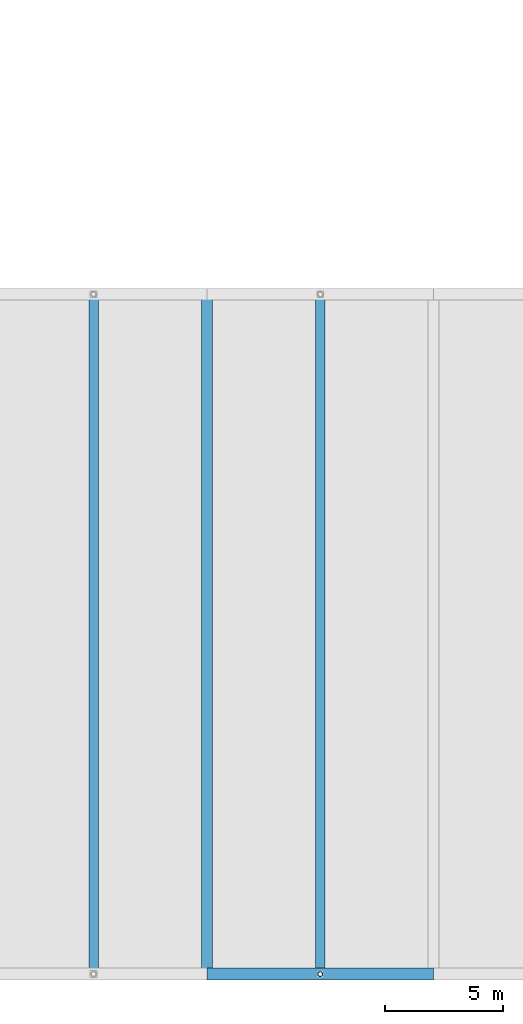
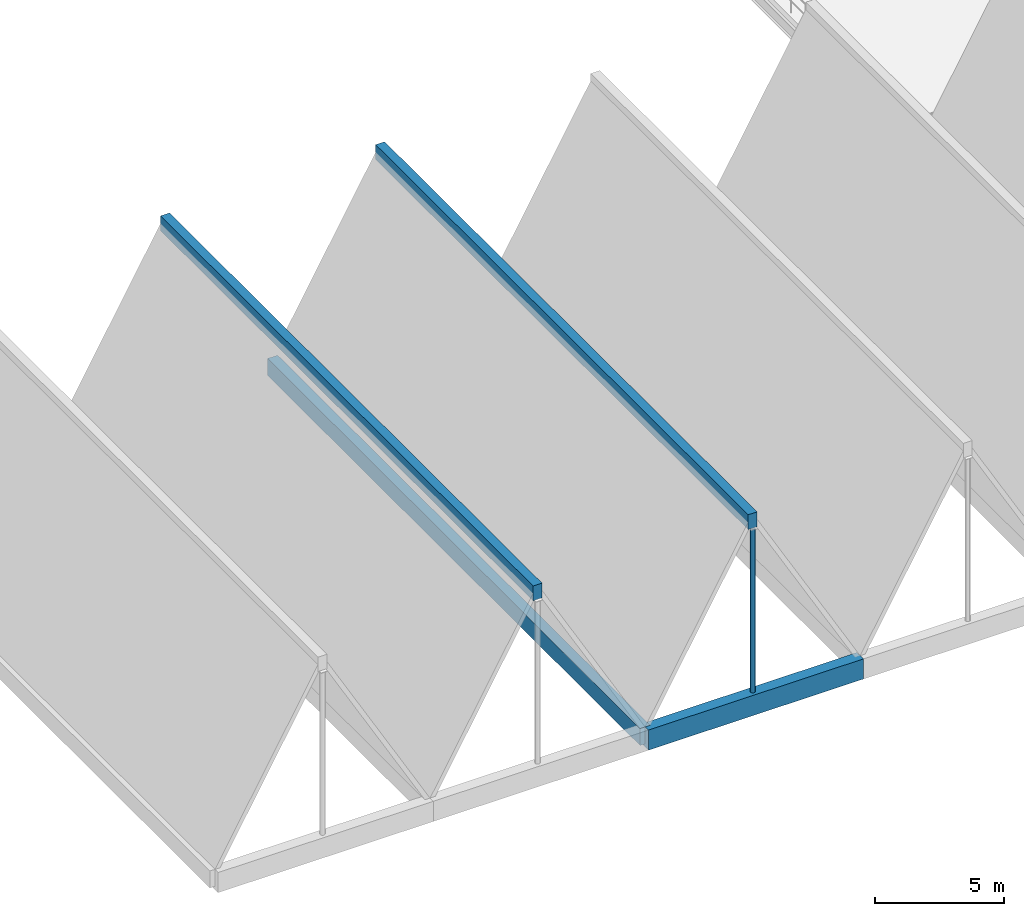
# One storey, part 6 of 86: 4 beams, 1 member, 1 element without a shape of its own.
"""IFC4 building model written with IfcOpenShell, lengths in metres."""

from ifc_helpers import new_model, si_unit, direction, frame, origin, origin_2d, place, context, subcontext, project, spatial, rectangle, hollow_circle, extrude, material, material_profile, profile_set, type_object, element, aggregate, save


model = new_model("IFC4")

# Units and contexts
model_context = context("Model", 3, precision=1e-05, world=origin(), true_north=direction((0.0, 1.0)))
body_context = subcontext(model_context, "Body", "Model", "MODEL_VIEW")
ifc_project = project(units=[si_unit("LENGTHUNIT", "METRE"), si_unit("AREAUNIT", "SQUARE_METRE"), si_unit("VOLUMEUNIT", "CUBIC_METRE"), si_unit("PLANEANGLEUNIT", "RADIAN"), si_unit("MASSUNIT", "GRAM", prefix="KILO")], contexts=[model_context])

# Site, building, storey
site_placement = place(None, origin())
site = spatial("IfcSite", under=ifc_project, at=site_placement, CompositionType="ELEMENT")
building_placement = place(site_placement, origin())
building = spatial("IfcBuilding", under=site, at=building_placement, Name="Oolite Switchyard Hospital", CompositionType="ELEMENT")
storey_placement = place(building_placement, frame((0.0, 0.0, 13.5)))
storey = spatial("IfcBuildingStorey", under=building, at=storey_placement, Name="L03", CompositionType="ELEMENT", Elevation=13.5)

# Roof, beams, member
ifc_material_1 = material(Name="Concrete C40/50", Category="concrete")
roof_type = type_object("IfcRoofType", Name="ROOF-FOLDED", PredefinedType="FREEFORM", material=ifc_material_1)
roof_placement = place(storey_placement, origin())
roof = element("IfcRoof", 1, at=roof_placement, inside=storey, type_object=roof_type, Name="L03 Main Arrival Hall Folded-Plate Roof", PredefinedType="FREEFORM")
ifc_material_profile_1 = material_profile(ifc_material_1, rectangle(XDim=0.5, YDim=0.949951171875, at=origin_2d()), Name="RCG500X950")
ifc_profile_set_1 = profile_set([ifc_material_profile_1], Name="Concrete C40/50")
beam_type_1 = type_object("IfcBeamType", Name="BM-GABLE950", PredefinedType="T_BEAM", material=ifc_profile_set_1)
beam_1_placement = place(storey_placement, frame((86.39990234375, 4.800048828125, -0.47509765625), z_axis=(1.0, 0.0, 0.0), x_axis=(0.0, 1.0, 0.0)))
beam_1 = element("IfcBeam", 2, at=beam_1_placement, type_object=beam_type_1, Name="Main Hall Gable Diaphragm Tie Beam S3", PredefinedType="T_BEAM", context=body_context, shape_type="SweptSolid", body=[
    extrude(rectangle(XDim=0.5, YDim=0.949951171875, at=origin_2d()), origin(), (0.0, 0.0, 1.0), 9.60009765625),
])
ifc_material_profile_2 = material_profile(ifc_material_1, rectangle(XDim=0.39990234375, YDim=0.699951171875, at=origin_2d()), Name="RCR400X700")
ifc_profile_set_2 = profile_set([ifc_material_profile_2], Name="Concrete C40/50")
beam_type_2 = type_object("IfcBeamType", Name="BM-RIDGE700", PredefinedType="T_BEAM", material=ifc_profile_set_2)
beam_2_placement = place(storey_placement, frame((81.60009765625, 4.800048828125, 8.050048828125), z_axis=(0.0, 1.0, 0.0), x_axis=(-1.0, 0.0, 0.0)))
beam_2 = element("IfcBeam", 3, at=beam_2_placement, type_object=beam_type_2, Name="Main Hall Folded-Plate Ridge Beam 2", PredefinedType="T_BEAM", context=body_context, shape_type="SweptSolid", body=[
    extrude(rectangle(XDim=0.39990234375, YDim=0.699951171875, at=origin_2d()), origin(), (0.0, 0.0, 1.0), 28.800048828125),
])
beam_3_placement = place(storey_placement, frame((91.199951171875, 4.800048828125, 8.050048828125), z_axis=(0.0, 1.0, 0.0), x_axis=(-1.0, 0.0, 0.0)))
beam_3 = element("IfcBeam", 4, at=beam_3_placement, type_object=beam_type_2, Name="Main Hall Folded-Plate Ridge Beam 3", PredefinedType="T_BEAM", context=body_context, shape_type="SweptSolid", body=[
    extrude(rectangle(XDim=0.39990234375, YDim=0.699951171875, at=origin_2d()), origin(), (0.0, 0.0, 1.0), 28.800048828125),
])
ifc_material_profile_3 = material_profile(ifc_material_1, rectangle(XDim=0.449951171875, YDim=0.800048828125, at=origin_2d()), Name="RCV450X800")
ifc_profile_set_3 = profile_set([ifc_material_profile_3], Name="Concrete C40/50")
beam_type_3 = type_object("IfcBeamType", Name="BM-VALLEY800", PredefinedType="T_BEAM", material=ifc_profile_set_3)
beam_4_placement = place(storey_placement, frame((86.39990234375, 4.800048828125, -0.39990234375), z_axis=(0.0, 1.0, 0.0), x_axis=(-1.0, 0.0, 0.0)))
beam_4 = element("IfcBeam", 5, at=beam_4_placement, type_object=beam_type_3, Name="Main Hall Folded-Plate Valley Beam 3", PredefinedType="T_BEAM", context=body_context, shape_type="SweptSolid", body=[
    extrude(rectangle(XDim=0.449951171875, YDim=0.800048828125, at=origin_2d()), origin(), (0.0, 0.0, 1.0), 28.800048828125),
])
ifc_material_2 = material(Name="Steel ASTM A500 Grade C", Category="steel")
ifc_material_profile_4 = material_profile(ifc_material_2, hollow_circle(Radius=0.109619140625, WallThickness=0.012939453125, at=origin_2d()), Name="HSS219X13")
ifc_profile_set_4 = profile_set([ifc_material_profile_4], Name="Steel ASTM A500 Grade C")
member_type = type_object("IfcMemberType", Name="MEM-ST-CHS219", PredefinedType="STRUT", material=ifc_profile_set_4)
member_placement = place(storey_placement, frame((91.199951171875, 4.800048828125, 0.0), z_axis=(0.0, 0.0, 1.0), x_axis=(1.0, 0.0, 0.0)))
member = element("IfcMember", 6, at=member_placement, type_object=member_type, Name="Main Hall Gable King-Post Strut S3", PredefinedType="STRUT", context=body_context, shape_type="SweptSolid", body=[
    extrude(hollow_circle(Radius=0.109619140625, WallThickness=0.012939453125, at=origin_2d()), origin(), (0.0, 0.0, 1.0), 7.699951171875),
])
aggregate(roof, [beam_2, beam_3, beam_4, beam_1, member])

save(model, "model.ifc")
